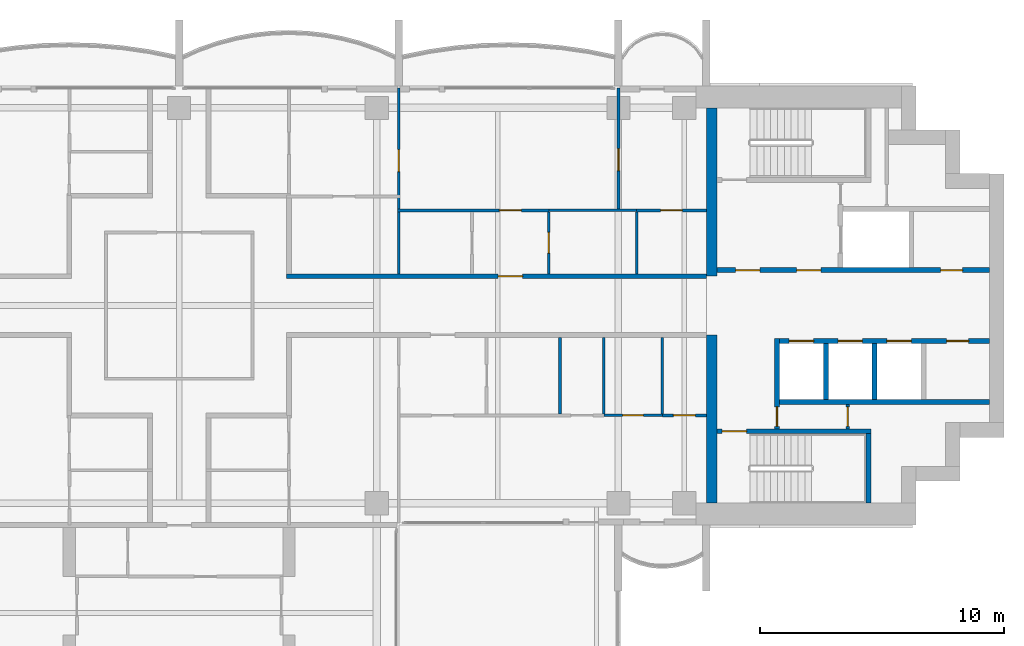
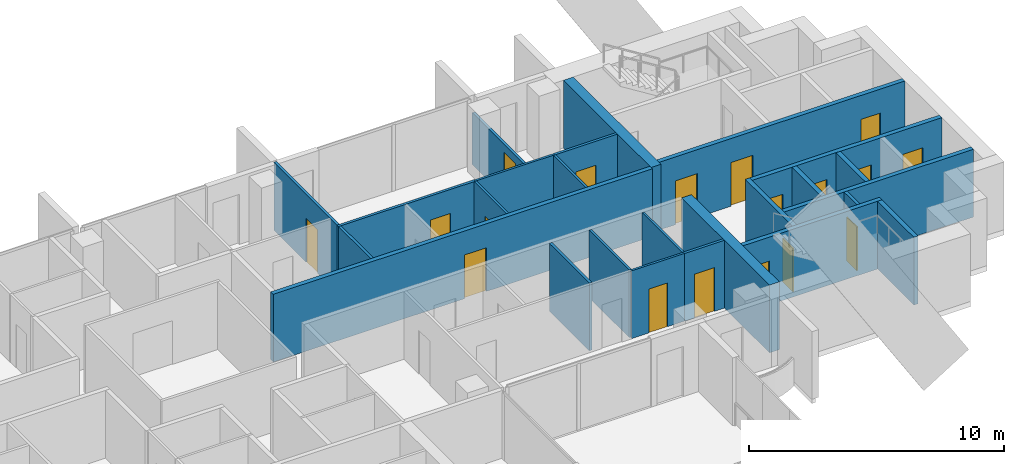
# One storey, part 12 of 18: 24 walls, 18 doors, 18 openings.
"""IFC4 building model written with IfcOpenShell, lengths in metres."""

from ifc_helpers import new_model, si_unit, direction, frame, frame_2d, origin, place, context, subcontext, project, spatial, rectangle, extrude, material, layer, layer_set, type_object, element, fill, save


model = new_model("IFC4")

# Units and contexts
model_context = context("Model", 3, precision=1e-05, world=origin(), true_north=direction((0.0, 1.0)))
body_context = subcontext(model_context, "Body", "Model", "MODEL_VIEW")
ifc_project = project(units=[si_unit("LENGTHUNIT", "METRE"), si_unit("AREAUNIT", "SQUARE_METRE"), si_unit("VOLUMEUNIT", "CUBIC_METRE"), si_unit("PLANEANGLEUNIT", "RADIAN"), si_unit("MASSUNIT", "GRAM", prefix="KILO")], contexts=[model_context])

# Site, building, storey
site_placement = place(None, origin())
site = spatial("IfcSite", under=ifc_project, at=site_placement, CompositionType="ELEMENT")
building_placement = place(site_placement, origin())
building = spatial("IfcBuilding", under=site, at=building_placement, Name="Perihelion Cross Residences", CompositionType="ELEMENT")
storey_placement = place(building_placement, frame((0.0, 0.0, 177.10009765625)))
storey = spatial("IfcBuildingStorey", under=building, at=storey_placement, Name="L43", CompositionType="ELEMENT", Elevation=177.10009765625)

# Wall, opening, door
ifc_material_1 = material(Name="Plasterboard partition")
ifc_layer_1 = layer(ifc_material_1, 0.199951171875)
ifc_layer_set_1 = layer_set([ifc_layer_1], Name="Apartment separation wall 200")
wall_type_1 = type_object("IfcWallType", Name="Apartment separation wall 200", PredefinedType="PARTITIONING", material=ifc_layer_set_1)
wall_1_placement = place(storey_placement, frame((4.39990234375, 1.199951171875, 0.0), z_axis=(0.0, 0.0, 1.0), x_axis=(1.0, 0.0, 0.0)))
wall_1 = element("IfcWall", 1, at=wall_1_placement, inside=storey, type_object=wall_type_1, Name="Partition L43 W005", PredefinedType="PARTITIONING", context=body_context, shape_type="SweptSolid", body=[
    extrude(rectangle(XDim=17.2001953125, YDim=0.199951171875, at=frame_2d((8.60009765625, 0.0))), origin(), (0.0, 0.0, 1.0), 3.25),
])
opening_1_placement = place(wall_1_placement, frame((8.675048828125, 0.0, 0.0)))
opening_1 = element("IfcOpeningElement", 2, at=opening_1_placement, cuts=wall_1, Name="Opening L43.A40", PredefinedType="OPENING", context=body_context, shape_type="SweptSolid", body=[
    extrude(rectangle(XDim=1.0, YDim=2.10009765625, at=frame_2d((0.5, 1.050048828125))), frame((0.0, 0.10986328125, 0.0), z_axis=(0.0, -1.0, 0.0), x_axis=(1.0, 0.0, 0.0)), (0.0, 0.0, 1.0), 0.219970703125),
])
ifc_material_2 = material(Name="Timber door leaf", Category="wood")
door_type_1 = type_object("IfcDoorType", Name="Flat entrance door 1000 x 2100", OperationType="SINGLE_SWING_LEFT", PredefinedType="DOOR", material=ifc_material_2)
door_1_placement = place(opening_1_placement, origin())
door_1 = element("IfcDoor", 3, at=door_1_placement, inside=storey, type_object=door_type_1, Name="Door L43.A40", OperationType="SINGLE_SWING_LEFT", OverallHeight=2.10009765625, OverallWidth=1.0, PredefinedType="DOOR", context=body_context, shape_type="SweptSolid", body=[
    extrude(rectangle(XDim=1.0, YDim=2.10009765625, at=frame_2d((0.5, 1.050048828125))), frame((0.0, 0.02490234375, 0.0), z_axis=(0.0, -1.0, 0.0), x_axis=(1.0, 0.0, 0.0)), (0.0, 0.0, 1.0), 0.050048828125),
])
fill(opening_1, door_1)

# Walls
ifc_material_3 = material(Name="Concrete C60/75", Category="concrete")
ifc_layer_2 = layer(ifc_material_3, 0.449951171875)
ifc_layer_set_2 = layer_set([ifc_layer_2], Name="Core wall, inner 450")
wall_type_2 = type_object("IfcWallType", Name="Core wall, inner 450", PredefinedType="SHEAR", material=ifc_layer_set_2)
for number, where, z_axis, x_axis, name in (
    (4, (21.824951171875, -8.10009765625, 0.0), (0.0, 0.0, 1.0), (0.0, 1.0, 0.0), "East core core wall, inner"),
    (5, (21.824951171875, 1.199951171875, 0.0), (0.0, 0.0, 1.0), (0.0, 1.0, 0.0), "East core core wall, inner"),
):
    element("IfcWall", number, at=place(storey_placement, frame(where, z_axis=z_axis, x_axis=x_axis)), inside=storey, type_object=wall_type_2, Name=name, PredefinedType="SHEAR", context=body_context, shape_type="SweptSolid", body=[
        extrude(rectangle(XDim=6.900146484375, YDim=0.449951171875, at=frame_2d((3.4501953125, 0.0))), origin(), (0.0, 0.0, 1.0), 3.25),
    ])

# Wall, opening, door
ifc_material_4 = material(Name="Concrete C50/60", Category="concrete")
ifc_layer_3 = layer(ifc_material_4, 0.199951171875)
ifc_layer_set_3 = layer_set([ifc_layer_3], Name="Lobby wall 200")
wall_type_3 = type_object("IfcWallType", Name="Lobby wall 200", PredefinedType="SOLIDWALL", material=ifc_layer_set_3)
wall_2_placement = place(storey_placement, frame((24.5, -5.050048828125, 0.0), z_axis=(0.0, 0.0, 1.0), x_axis=(0.0, 1.0, 0.0)))
wall_2 = element("IfcWall", 6, at=wall_2_placement, inside=storey, type_object=wall_type_3, Name="East core lobby wall", PredefinedType="SOLIDWALL", context=body_context, shape_type="SweptSolid", body=[
    extrude(rectangle(XDim=3.699951171875, YDim=0.199951171875, at=frame_2d((1.85009765625, 0.0))), origin(), (0.0, 0.0, 1.0), 3.25),
])
opening_2_placement = place(wall_2_placement, frame((0.10009765625, 0.0, 0.0)))
opening_2 = element("IfcOpeningElement", 7, at=opening_2_placement, cuts=wall_2, Name="Opening L43.C08", PredefinedType="OPENING", context=body_context, shape_type="SweptSolid", body=[
    extrude(rectangle(XDim=0.800048828125, YDim=2.10009765625, at=frame_2d((0.39990234375, 1.050048828125))), frame((0.0, 0.10986328125, 0.0), z_axis=(0.0, -1.0, 0.0), x_axis=(1.0, 0.0, 0.0)), (0.0, 0.0, 1.0), 0.219970703125),
])
ifc_material_5 = material(Name="Steel, powder coated", Category="steel")
door_type_2 = type_object("IfcDoorType", Name="Riser door 800", OperationType="SINGLE_SWING_LEFT", PredefinedType="DOOR", material=ifc_material_5)
door_2_placement = place(opening_2_placement, origin())
door_2 = element("IfcDoor", 8, at=door_2_placement, inside=storey, type_object=door_type_2, Name="East core riser door", OperationType="SINGLE_SWING_LEFT", OverallHeight=2.10009765625, OverallWidth=0.800048828125, PredefinedType="DOOR", context=body_context, shape_type="SweptSolid", body=[
    extrude(rectangle(XDim=0.800048828125, YDim=2.10009765625, at=frame_2d((0.39990234375, 1.050048828125))), frame((0.0, 0.02490234375, 0.0), z_axis=(0.0, -1.0, 0.0), x_axis=(1.0, 0.0, 0.0)), (0.0, 0.0, 1.0), 0.050048828125),
])
fill(opening_2, door_2)

ifc_material_6 = material(Name="Plasterboard partition")
ifc_layer_4 = layer(ifc_material_6, 0.1201171875)
ifc_layer_set_4 = layer_set([ifc_layer_4], Name="Partition wall 120")
wall_type_4 = type_object("IfcWallType", Name="Partition wall 120", PredefinedType="PARTITIONING", material=ifc_layer_set_4)
wall_3_placement = place(storey_placement, frame((8.93994140625, 3.89990234375, 0.0), z_axis=(0.0, 0.0, 1.0), x_axis=(1.0, 0.0, 0.0)))
wall_3 = element("IfcWall", 9, at=wall_3_placement, inside=storey, type_object=wall_type_4, Name="Partition L43 W023", PredefinedType="PARTITIONING", context=body_context, shape_type="SweptSolid", body=[
    extrude(rectangle(XDim=6.2099609375, YDim=0.1201171875, at=frame_2d((3.10498046875, 0.0))), origin(), (0.0, 0.0, 1.0), 3.25),
])
opening_3_placement = place(wall_3_placement, frame((4.18505859375, 0.0, 0.0)))
opening_3 = element("IfcOpeningElement", 10, at=opening_3_placement, cuts=wall_3, Name="Opening L43.A08", PredefinedType="OPENING", context=body_context, shape_type="SweptSolid", body=[
    extrude(rectangle(XDim=0.89990234375, YDim=2.10009765625, at=frame_2d((0.449951171875, 1.050048828125))), frame((0.0, 0.070068359375, 0.0), z_axis=(0.0, -1.0, 0.0), x_axis=(1.0, 0.0, 0.0)), (0.0, 0.0, 1.0), 0.14013671875),
])
ifc_material_7 = material(Name="Timber door leaf", Category="wood")
door_type_3 = type_object("IfcDoorType", Name="Interior room door 900 x 2100", OperationType="SINGLE_SWING_LEFT", PredefinedType="DOOR", material=ifc_material_7)
door_3_placement = place(opening_3_placement, origin())
door_3 = element("IfcDoor", 11, at=door_3_placement, inside=storey, type_object=door_type_3, Name="Door L43.A08", OperationType="SINGLE_SWING_LEFT", OverallHeight=2.10009765625, OverallWidth=0.89990234375, PredefinedType="DOOR", context=body_context, shape_type="SweptSolid", body=[
    extrude(rectangle(XDim=0.89990234375, YDim=2.10009765625, at=frame_2d((0.449951171875, 1.050048828125))), frame((0.0, 0.02490234375, 0.0), z_axis=(0.0, -1.0, 0.0), x_axis=(1.0, 0.0, 0.0)), (0.0, 0.0, 1.0), 0.050048828125),
])
fill(opening_3, door_3)

wall_4_placement = place(storey_placement, frame((9.0, 1.300048828125, 0.0), z_axis=(0.0, 0.0, 1.0), x_axis=(0.0, 1.0, 0.0)))
wall_4 = element("IfcWall", 12, at=wall_4_placement, inside=storey, type_object=wall_type_4, Name="Partition L43 W024", PredefinedType="PARTITIONING", context=body_context, shape_type="SweptSolid", body=[
    extrude(rectangle(XDim=7.619873046875, YDim=0.1201171875, at=frame_2d((3.81005859375, 0.0))), origin(), (0.0, 0.0, 1.0), 3.25),
])
opening_4_placement = place(wall_4_placement, frame((4.18798828125, 0.0, 0.0)))
opening_4 = element("IfcOpeningElement", 13, at=opening_4_placement, cuts=wall_4, Name="Opening L43.A06", PredefinedType="OPENING", context=body_context, shape_type="SweptSolid", body=[
    extrude(rectangle(XDim=0.89990234375, YDim=2.10009765625, at=frame_2d((0.449951171875, 1.050048828125))), frame((0.0, 0.070068359375, 0.0), z_axis=(0.0, -1.0, 0.0), x_axis=(1.0, 0.0, 0.0)), (0.0, 0.0, 1.0), 0.14013671875),
])
door_4_placement = place(opening_4_placement, origin())
door_4 = element("IfcDoor", 14, at=door_4_placement, inside=storey, type_object=door_type_3, Name="Door L43.A06", OperationType="SINGLE_SWING_RIGHT", OverallHeight=2.10009765625, OverallWidth=0.89990234375, PredefinedType="DOOR", context=body_context, shape_type="SweptSolid", body=[
    extrude(rectangle(XDim=0.89990234375, YDim=2.10009765625, at=frame_2d((0.449951171875, 1.050048828125))), frame((0.0, 0.02490234375, 0.0), z_axis=(0.0, -1.0, 0.0), x_axis=(1.0, 0.0, 0.0)), (0.0, 0.0, 1.0), 0.050048828125),
])
fill(opening_4, door_4)

wall_5_placement = place(storey_placement, frame((18.75, 3.89990234375, 0.0), z_axis=(0.0, 0.0, 1.0), x_axis=(1.0, 0.0, 0.0)))
wall_5 = element("IfcWall", 15, at=wall_5_placement, inside=storey, type_object=wall_type_4, Name="Partition L43 W028", PredefinedType="PARTITIONING", context=body_context, shape_type="SweptSolid", body=[
    extrude(rectangle(XDim=2.85009765625, YDim=0.1201171875, at=frame_2d((1.425048828125, 0.0))), origin(), (0.0, 0.0, 1.0), 3.25),
])
opening_5_placement = place(wall_5_placement, frame((0.97509765625, 0.0, 0.0)))
opening_5 = element("IfcOpeningElement", 16, at=opening_5_placement, cuts=wall_5, Name="Opening L43.A09", PredefinedType="OPENING", context=body_context, shape_type="SweptSolid", body=[
    extrude(rectangle(XDim=0.89990234375, YDim=2.10009765625, at=frame_2d((0.449951171875, 1.050048828125))), frame((0.0, 0.070068359375, 0.0), z_axis=(0.0, -1.0, 0.0), x_axis=(1.0, 0.0, 0.0)), (0.0, 0.0, 1.0), 0.14013671875),
])
door_5_placement = place(opening_5_placement, origin())
door_5 = element("IfcDoor", 17, at=door_5_placement, inside=storey, type_object=door_type_3, Name="Door L43.A09", OperationType="SINGLE_SWING_RIGHT", OverallHeight=2.10009765625, OverallWidth=0.89990234375, PredefinedType="DOOR", context=body_context, shape_type="SweptSolid", body=[
    extrude(rectangle(XDim=0.89990234375, YDim=2.10009765625, at=frame_2d((0.449951171875, 1.050048828125))), frame((0.0, 0.02490234375, 0.0), z_axis=(0.0, -1.0, 0.0), x_axis=(1.0, 0.0, 0.0)), (0.0, 0.0, 1.0), 0.050048828125),
])
fill(opening_5, door_5)

wall_6_placement = place(storey_placement, frame((18.0, 8.919921875, 0.0), z_axis=(0.0, 0.0, 1.0), x_axis=(0.0, -1.0, 0.0)))
wall_6 = element("IfcWall", 18, at=wall_6_placement, inside=storey, type_object=wall_type_4, Name="Partition L43 W029", PredefinedType="PARTITIONING", context=body_context, shape_type="SweptSolid", body=[
    extrude(rectangle(XDim=4.969970703125, YDim=0.1201171875, at=frame_2d((2.48486328125, 0.0))), origin(), (0.0, 0.0, 1.0), 2.47998046875),
])
opening_6_placement = place(wall_6_placement, frame((2.4951171875, 0.0, 0.0)))
opening_6 = element("IfcOpeningElement", 19, at=opening_6_placement, cuts=wall_6, Name="Opening L43.A02", PredefinedType="OPENING", context=body_context, shape_type="SweptSolid", body=[
    extrude(rectangle(XDim=0.89990234375, YDim=2.10009765625, at=frame_2d((0.449951171875, 1.050048828125))), frame((0.0, 0.070068359375, 0.0), z_axis=(0.0, -1.0, 0.0), x_axis=(1.0, 0.0, 0.0)), (0.0, 0.0, 1.0), 0.14013671875),
])
door_6_placement = place(opening_6_placement, origin())
door_6 = element("IfcDoor", 20, at=door_6_placement, inside=storey, type_object=door_type_3, Name="Door L43.A02", OperationType="SINGLE_SWING_LEFT", OverallHeight=2.10009765625, OverallWidth=0.89990234375, PredefinedType="DOOR", context=body_context, shape_type="SweptSolid", body=[
    extrude(rectangle(XDim=0.89990234375, YDim=2.10009765625, at=frame_2d((0.449951171875, 1.050048828125))), frame((0.0, 0.02490234375, 0.0), z_axis=(0.0, -1.0, 0.0), x_axis=(1.0, 0.0, 0.0)), (0.0, 0.0, 1.0), 0.050048828125),
])
fill(opening_6, door_6)

# Wall
wall_7_placement = place(storey_placement, frame((15.60009765625, -1.300048828125, 0.0), z_axis=(0.0, 0.0, 1.0), x_axis=(0.0, -1.0, 0.0)))
element("IfcWall", 21, at=wall_7_placement, inside=storey, type_object=wall_type_4, Name="Partition L43 W035", PredefinedType="PARTITIONING", context=body_context, shape_type="SweptSolid", body=[
    extrude(rectangle(XDim=3.139892578125, YDim=0.1201171875, at=frame_2d((1.56982421875, 0.0))), origin(), (0.0, 0.0, 1.0), 3.25),
])

# Wall, opening, door
wall_8_placement = place(storey_placement, frame((21.60009765625, -4.5, 0.0), z_axis=(0.0, 0.0, 1.0), x_axis=(-1.0, 0.0, 0.0)))
wall_8 = element("IfcWall", 22, at=wall_8_placement, inside=storey, type_object=wall_type_4, Name="Partition L43 W039", PredefinedType="PARTITIONING", context=body_context, shape_type="SweptSolid", body=[
    extrude(rectangle(XDim=1.800048828125, YDim=0.1201171875, at=frame_2d((0.89990234375, 0.0))), origin(), (0.0, 0.0, 1.0), 3.25),
])
opening_7_placement = place(wall_8_placement, frame((0.449951171875, 0.0, 0.0)))
opening_7 = element("IfcOpeningElement", 23, at=opening_7_placement, cuts=wall_8, Name="Opening L43.A11", PredefinedType="OPENING", context=body_context, shape_type="SweptSolid", body=[
    extrude(rectangle(XDim=0.89990234375, YDim=2.10009765625, at=frame_2d((0.449951171875, 1.050048828125))), frame((0.0, 0.070068359375, 0.0), z_axis=(0.0, -1.0, 0.0), x_axis=(1.0, 0.0, 0.0)), (0.0, 0.0, 1.0), 0.14013671875),
])
door_7_placement = place(opening_7_placement, origin())
door_7 = element("IfcDoor", 24, at=door_7_placement, inside=storey, type_object=door_type_3, Name="Door L43.A11", OperationType="SINGLE_SWING_LEFT", OverallHeight=2.10009765625, OverallWidth=0.89990234375, PredefinedType="DOOR", context=body_context, shape_type="SweptSolid", body=[
    extrude(rectangle(XDim=0.89990234375, YDim=2.10009765625, at=frame_2d((0.449951171875, 1.050048828125))), frame((0.0, 0.02490234375, 0.0), z_axis=(0.0, -1.0, 0.0), x_axis=(1.0, 0.0, 0.0)), (0.0, 0.0, 1.0), 0.050048828125),
])
fill(opening_7, door_7)

ifc_material_8 = material(Name="Fire-rated board on steel stud", Category="steel")
ifc_layer_5 = layer(ifc_material_8, 0.14990234375)
ifc_layer_set_5 = layer_set([ifc_layer_5], Name="Riser wall 150")
wall_type_5 = type_object("IfcWallType", Name="Riser wall 150", PredefinedType="PARTITIONING", material=ifc_layer_set_5)
wall_9_placement = place(storey_placement, frame((27.39990234375, -5.050048828125, 0.0), z_axis=(0.0, 0.0, 1.0), x_axis=(0.0, 1.0, 0.0)))
wall_9 = element("IfcWall", 25, at=wall_9_placement, inside=storey, type_object=wall_type_5, Name="East core riser wall", PredefinedType="PARTITIONING", context=body_context, shape_type="SweptSolid", body=[
    extrude(rectangle(XDim=1.0, YDim=0.14990234375, at=frame_2d((0.5, 0.0))), origin(), (0.0, 0.0, 1.0), 3.25),
])
opening_8_placement = place(wall_9_placement, frame((0.10009765625, 0.0, 0.0)))
opening_8 = element("IfcOpeningElement", 26, at=opening_8_placement, cuts=wall_9, Name="Opening L43.C11", PredefinedType="OPENING", context=body_context, shape_type="SweptSolid", body=[
    extrude(rectangle(XDim=0.800048828125, YDim=2.10009765625, at=frame_2d((0.39990234375, 1.050048828125))), frame((0.0, 0.0849609375, 0.0), z_axis=(0.0, -1.0, 0.0), x_axis=(1.0, 0.0, 0.0)), (0.0, 0.0, 1.0), 0.169921875),
])
door_8_placement = place(opening_8_placement, origin())
door_8 = element("IfcDoor", 27, at=door_8_placement, inside=storey, type_object=door_type_2, Name="East core riser door", OperationType="SINGLE_SWING_LEFT", OverallHeight=2.10009765625, OverallWidth=0.800048828125, PredefinedType="DOOR", context=body_context, shape_type="SweptSolid", body=[
    extrude(rectangle(XDim=0.800048828125, YDim=2.10009765625, at=frame_2d((0.39990234375, 1.050048828125))), frame((0.0, 0.02490234375, 0.0), z_axis=(0.0, -1.0, 0.0), x_axis=(1.0, 0.0, 0.0)), (0.0, 0.0, 1.0), 0.050048828125),
])
fill(opening_8, door_8)

# Wall, openings, doors
ifc_material_9 = material(Name="Concrete C50/60", Category="concrete")
ifc_layer_6 = layer(ifc_material_9, 0.199951171875)
ifc_layer_set_6 = layer_set([ifc_layer_6], Name="Shaft wall 200")
wall_type_6 = type_object("IfcWallType", Name="Shaft wall 200", PredefinedType="SOLIDWALL", material=ifc_layer_set_6)
wall_10_placement = place(storey_placement, frame((22.050048828125, 1.449951171875, 0.0), z_axis=(0.0, 0.0, 1.0), x_axis=(1.0, 0.0, 0.0)))
wall_10 = element("IfcWall", 28, at=wall_10_placement, inside=storey, type_object=wall_type_6, Name="East core shaft wall", PredefinedType="SOLIDWALL", context=body_context, shape_type="SweptSolid", body=[
    extrude(rectangle(XDim=11.14990234375, YDim=0.199951171875, at=frame_2d((5.574951171875, 0.0))), origin(), (0.0, 0.0, 1.0), 3.25),
])
opening_9_placement = place(wall_10_placement, frame((0.75, 0.0, 0.0)))
opening_9 = element("IfcOpeningElement", 29, at=opening_9_placement, cuts=wall_10, Name="Opening L43.C07", PredefinedType="OPENING", context=body_context, shape_type="SweptSolid", body=[
    extrude(rectangle(XDim=1.0, YDim=2.10009765625, at=frame_2d((0.5, 1.050048828125))), frame((0.0, 0.10986328125, 0.0), z_axis=(0.0, -1.0, 0.0), x_axis=(1.0, 0.0, 0.0)), (0.0, 0.0, 1.0), 0.219970703125),
])
opening_10_placement = place(wall_10_placement, frame((3.25, 0.0, 0.0)))
opening_10 = element("IfcOpeningElement", 30, at=opening_10_placement, cuts=wall_10, Name="Opening L43.C09", PredefinedType="OPENING", context=body_context, shape_type="SweptSolid", body=[
    extrude(rectangle(XDim=1.0, YDim=2.10009765625, at=frame_2d((0.5, 1.050048828125))), frame((0.0, 0.10986328125, 0.0), z_axis=(0.0, -1.0, 0.0), x_axis=(1.0, 0.0, 0.0)), (0.0, 0.0, 1.0), 0.219970703125),
])
opening_11_placement = place(wall_10_placement, frame((9.14990234375, 0.0, 0.0)))
opening_11 = element("IfcOpeningElement", 31, at=opening_11_placement, cuts=wall_10, Name="Opening L43.C13", PredefinedType="OPENING", context=body_context, shape_type="SweptSolid", body=[
    extrude(rectangle(XDim=0.89990234375, YDim=2.10009765625, at=frame_2d((0.449951171875, 1.050048828125))), frame((0.0, 0.10986328125, 0.0), z_axis=(0.0, -1.0, 0.0), x_axis=(1.0, 0.0, 0.0)), (0.0, 0.0, 1.0), 0.219970703125),
])
ifc_material_10 = material(Name="Steel, powder coated", Category="steel")
door_type_4 = type_object("IfcDoorType", Name="Lobby door 1000", OperationType="SINGLE_SWING_LEFT", PredefinedType="DOOR", material=ifc_material_10)
door_9_placement = place(opening_9_placement, origin())
door_9 = element("IfcDoor", 32, at=door_9_placement, inside=storey, type_object=door_type_4, Name="East core firefighting lobby door", OperationType="SINGLE_SWING_LEFT", OverallHeight=2.10009765625, OverallWidth=1.0, PredefinedType="DOOR", context=body_context, shape_type="SweptSolid", body=[
    extrude(rectangle(XDim=1.0, YDim=2.10009765625, at=frame_2d((0.5, 1.050048828125))), frame((0.0, 0.02490234375, 0.0), z_axis=(0.0, -1.0, 0.0), x_axis=(1.0, 0.0, 0.0)), (0.0, 0.0, 1.0), 0.050048828125),
])
fill(opening_9, door_9)
door_10_placement = place(opening_10_placement, origin())
door_10 = element("IfcDoor", 33, at=door_10_placement, inside=storey, type_object=door_type_4, Name="East core firefighting lobby door", OperationType="SINGLE_SWING_LEFT", OverallHeight=2.10009765625, OverallWidth=1.0, PredefinedType="DOOR", context=body_context, shape_type="SweptSolid", body=[
    extrude(rectangle(XDim=1.0, YDim=2.10009765625, at=frame_2d((0.5, 1.050048828125))), frame((0.0, 0.02490234375, 0.0), z_axis=(0.0, -1.0, 0.0), x_axis=(1.0, 0.0, 0.0)), (0.0, 0.0, 1.0), 0.050048828125),
])
fill(opening_10, door_10)
ifc_material_11 = material(Name="Steel, powder coated", Category="steel")
door_type_5 = type_object("IfcDoorType", Name="Service room door 900", OperationType="SINGLE_SWING_LEFT", PredefinedType="DOOR", material=ifc_material_11)
door_11_placement = place(opening_11_placement, origin())
door_11 = element("IfcDoor", 34, at=door_11_placement, inside=storey, type_object=door_type_5, Name="East core service room door", OperationType="SINGLE_SWING_LEFT", OverallHeight=2.10009765625, OverallWidth=0.89990234375, PredefinedType="DOOR", context=body_context, shape_type="SweptSolid", body=[
    extrude(rectangle(XDim=0.89990234375, YDim=2.10009765625, at=frame_2d((0.449951171875, 1.050048828125))), frame((0.0, 0.02490234375, 0.0), z_axis=(0.0, -1.0, 0.0), x_axis=(1.0, 0.0, 0.0)), (0.0, 0.0, 1.0), 0.050048828125),
])
fill(opening_11, door_11)

wall_11_placement = place(storey_placement, frame((24.60009765625, -1.449951171875, 0.0), z_axis=(0.0, 0.0, 1.0), x_axis=(1.0, 0.0, 0.0)))
wall_11 = element("IfcWall", 35, at=wall_11_placement, inside=storey, type_object=wall_type_6, Name="East core shaft wall", PredefinedType="SOLIDWALL", context=body_context, shape_type="SweptSolid", body=[
    extrude(rectangle(XDim=8.599853515625, YDim=0.199951171875, at=frame_2d((4.2998046875, 0.0))), origin(), (0.0, 0.0, 1.0), 3.25),
])
opening_12_placement = place(wall_11_placement, frame((0.39990234375, 0.0, 0.0)))
opening_12 = element("IfcOpeningElement", 36, at=opening_12_placement, cuts=wall_11, Name="Opening L43.C01", PredefinedType="OPENING", context=body_context, shape_type="SweptSolid", body=[
    extrude(rectangle(XDim=1.0, YDim=2.10009765625, at=frame_2d((0.5, 1.050048828125))), frame((0.0, 0.10986328125, 0.0), z_axis=(0.0, -1.0, 0.0), x_axis=(1.0, 0.0, 0.0)), (0.0, 0.0, 1.0), 0.219970703125),
])
opening_13_placement = place(wall_11_placement, frame((2.39990234375, 0.0, 0.0)))
opening_13 = element("IfcOpeningElement", 37, at=opening_13_placement, cuts=wall_11, Name="Opening L43.C03", PredefinedType="OPENING", context=body_context, shape_type="SweptSolid", body=[
    extrude(rectangle(XDim=1.0, YDim=2.10009765625, at=frame_2d((0.5, 1.050048828125))), frame((0.0, 0.10986328125, 0.0), z_axis=(0.0, -1.0, 0.0), x_axis=(1.0, 0.0, 0.0)), (0.0, 0.0, 1.0), 0.219970703125),
])
opening_14_placement = place(wall_11_placement, frame((4.39990234375, 0.0, 0.0)))
opening_14 = element("IfcOpeningElement", 38, at=opening_14_placement, cuts=wall_11, Name="Opening L43.C04", PredefinedType="OPENING", context=body_context, shape_type="SweptSolid", body=[
    extrude(rectangle(XDim=1.0, YDim=2.10009765625, at=frame_2d((0.5, 1.050048828125))), frame((0.0, 0.10986328125, 0.0), z_axis=(0.0, -1.0, 0.0), x_axis=(1.0, 0.0, 0.0)), (0.0, 0.0, 1.0), 0.219970703125),
])
opening_15_placement = place(wall_11_placement, frame((6.85009765625, 0.0, 0.0)))
opening_15 = element("IfcOpeningElement", 39, at=opening_15_placement, cuts=wall_11, Name="Opening L43.C14", PredefinedType="OPENING", context=body_context, shape_type="SweptSolid", body=[
    extrude(rectangle(XDim=0.89990234375, YDim=2.10009765625, at=frame_2d((0.449951171875, 1.050048828125))), frame((0.0, 0.10986328125, 0.0), z_axis=(0.0, -1.0, 0.0), x_axis=(1.0, 0.0, 0.0)), (0.0, 0.0, 1.0), 0.219970703125),
])
ifc_material_12 = material(Name="Stainless steel", Category="steel")
door_type_6 = type_object("IfcDoorType", Name="Landing door 1000", OperationType="DOUBLE_DOOR_SLIDING", PredefinedType="DOOR", material=ifc_material_12)
door_12_placement = place(opening_12_placement, origin())
door_12 = element("IfcDoor", 40, at=door_12_placement, inside=storey, type_object=door_type_6, Name="Landing door, East core high-rise lift 1", OperationType="DOUBLE_DOOR_SLIDING", OverallHeight=2.10009765625, OverallWidth=1.0, PredefinedType="DOOR", context=body_context, shape_type="SweptSolid", body=[
    extrude(rectangle(XDim=1.0, YDim=2.10009765625, at=frame_2d((0.5, 1.050048828125))), frame((0.0, 0.02490234375, 0.0), z_axis=(0.0, -1.0, 0.0), x_axis=(1.0, 0.0, 0.0)), (0.0, 0.0, 1.0), 0.050048828125),
])
fill(opening_12, door_12)
door_13_placement = place(opening_13_placement, origin())
door_13 = element("IfcDoor", 41, at=door_13_placement, inside=storey, type_object=door_type_6, Name="Landing door, East core high-rise lift 2", OperationType="DOUBLE_DOOR_SLIDING", OverallHeight=2.10009765625, OverallWidth=1.0, PredefinedType="DOOR", context=body_context, shape_type="SweptSolid", body=[
    extrude(rectangle(XDim=1.0, YDim=2.10009765625, at=frame_2d((0.5, 1.050048828125))), frame((0.0, 0.02490234375, 0.0), z_axis=(0.0, -1.0, 0.0), x_axis=(1.0, 0.0, 0.0)), (0.0, 0.0, 1.0), 0.050048828125),
])
fill(opening_13, door_13)
door_14_placement = place(opening_14_placement, origin())
door_14 = element("IfcDoor", 42, at=door_14_placement, inside=storey, type_object=door_type_6, Name="Landing door, East core high-rise lift 3", OperationType="DOUBLE_DOOR_SLIDING", OverallHeight=2.10009765625, OverallWidth=1.0, PredefinedType="DOOR", context=body_context, shape_type="SweptSolid", body=[
    extrude(rectangle(XDim=1.0, YDim=2.10009765625, at=frame_2d((0.5, 1.050048828125))), frame((0.0, 0.02490234375, 0.0), z_axis=(0.0, -1.0, 0.0), x_axis=(1.0, 0.0, 0.0)), (0.0, 0.0, 1.0), 0.050048828125),
])
fill(opening_14, door_14)
door_15_placement = place(opening_15_placement, origin())
door_15 = element("IfcDoor", 43, at=door_15_placement, inside=storey, type_object=door_type_5, Name="East core service room door", OperationType="SINGLE_SWING_LEFT", OverallHeight=2.10009765625, OverallWidth=0.89990234375, PredefinedType="DOOR", context=body_context, shape_type="SweptSolid", body=[
    extrude(rectangle(XDim=0.89990234375, YDim=2.10009765625, at=frame_2d((0.449951171875, 1.050048828125))), frame((0.0, 0.02490234375, 0.0), z_axis=(0.0, -1.0, 0.0), x_axis=(1.0, 0.0, 0.0)), (0.0, 0.0, 1.0), 0.050048828125),
])
fill(opening_15, door_15)

# Walls
wall_12_placement = place(storey_placement, frame((24.60009765625, -3.949951171875, 0.0), z_axis=(0.0, 0.0, 1.0), x_axis=(1.0, 0.0, 0.0)))
element("IfcWall", 44, at=wall_12_placement, inside=storey, type_object=wall_type_6, Name="East core shaft wall", PredefinedType="SOLIDWALL", context=body_context, shape_type="SweptSolid", body=[
    extrude(rectangle(XDim=8.599853515625, YDim=0.199951171875, at=frame_2d((4.2998046875, 0.0))), origin(), (0.0, 0.0, 1.0), 3.25),
])
for number, where, z_axis, x_axis, name in (
    (45, (26.5, -3.85009765625, 0.0), (0.0, 0.0, 1.0), (0.0, 1.0, 0.0), "East core shaft wall"),
    (46, (28.5, -3.85009765625, 0.0), (0.0, 0.0, 1.0), (0.0, 1.0, 0.0), "East core shaft wall"),
):
    element("IfcWall", number, at=place(storey_placement, frame(where, z_axis=z_axis, x_axis=x_axis)), inside=storey, type_object=wall_type_6, Name=name, PredefinedType="SOLIDWALL", context=body_context, shape_type="SweptSolid", body=[
        extrude(rectangle(XDim=2.300048828125, YDim=0.199951171875, at=frame_2d((1.14990234375, 0.0))), origin(), (0.0, 0.0, 1.0), 3.25),
    ])

# Wall, opening, door
ifc_material_13 = material(Name="Concrete C50/60", Category="concrete")
ifc_layer_7 = layer(ifc_material_13, 0.199951171875)
ifc_layer_set_7 = layer_set([ifc_layer_7], Name="Stair wall 200")
wall_type_7 = type_object("IfcWallType", Name="Stair wall 200", PredefinedType="SOLIDWALL", material=ifc_layer_set_7)
wall_13_placement = place(storey_placement, frame((22.050048828125, -5.14990234375, 0.0), z_axis=(0.0, 0.0, 1.0), x_axis=(1.0, 0.0, 0.0)))
wall_13 = element("IfcWall", 47, at=wall_13_placement, inside=storey, type_object=wall_type_7, Name="East core stair wall", PredefinedType="SOLIDWALL", context=body_context, shape_type="SweptSolid", body=[
    extrude(rectangle(XDim=6.300048828125, YDim=0.199951171875, at=frame_2d((3.14990234375, 0.0))), origin(), (0.0, 0.0, 1.0), 3.25),
])
opening_16_placement = place(wall_13_placement, frame((0.199951171875, 0.0, 0.0)))
opening_16 = element("IfcOpeningElement", 48, at=opening_16_placement, cuts=wall_13, Name="Opening L43.C05", PredefinedType="OPENING", context=body_context, shape_type="SweptSolid", body=[
    extrude(rectangle(XDim=1.0, YDim=2.10009765625, at=frame_2d((0.5, 1.050048828125))), frame((0.0, 0.10986328125, 0.0), z_axis=(0.0, -1.0, 0.0), x_axis=(1.0, 0.0, 0.0)), (0.0, 0.0, 1.0), 0.219970703125),
])
ifc_material_14 = material(Name="Steel, powder coated", Category="steel")
door_type_7 = type_object("IfcDoorType", Name="Stair door 1000", OperationType="SINGLE_SWING_LEFT", PredefinedType="DOOR", material=ifc_material_14)
door_16_placement = place(opening_16_placement, origin())
door_16 = element("IfcDoor", 49, at=door_16_placement, inside=storey, type_object=door_type_7, Name="East core stair door", OperationType="SINGLE_SWING_LEFT", OverallHeight=2.10009765625, OverallWidth=1.0, PredefinedType="DOOR", context=body_context, shape_type="SweptSolid", body=[
    extrude(rectangle(XDim=1.0, YDim=2.10009765625, at=frame_2d((0.5, 1.050048828125))), frame((0.0, 0.02490234375, 0.0), z_axis=(0.0, -1.0, 0.0), x_axis=(1.0, 0.0, 0.0)), (0.0, 0.0, 1.0), 0.050048828125),
])
fill(opening_16, door_16)

# Wall
wall_14_placement = place(storey_placement, frame((28.25, -8.10009765625, 0.0), z_axis=(0.0, 0.0, 1.0), x_axis=(0.0, 1.0, 0.0)))
element("IfcWall", 50, at=wall_14_placement, inside=storey, type_object=wall_type_7, Name="East core stair wall", PredefinedType="SOLIDWALL", context=body_context, shape_type="SweptSolid", body=[
    extrude(rectangle(XDim=2.85009765625, YDim=0.199951171875, at=frame_2d((1.425048828125, 0.0))), origin(), (0.0, 0.0, 1.0), 3.25),
])

# Wall, opening, door
ifc_material_15 = material(Name="Plasterboard partition")
ifc_layer_8 = layer(ifc_material_15, 0.10009765625)
ifc_layer_set_8 = layer_set([ifc_layer_8], Name="Wet room wall 100")
wall_type_8 = type_object("IfcWallType", Name="Wet room wall 100", PredefinedType="PARTITIONING", material=ifc_layer_set_8)
wall_15_placement = place(storey_placement, frame((15.14990234375, 3.840087890625, 0.0), z_axis=(0.0, 0.0, 1.0), x_axis=(0.0, -1.0, 0.0)))
wall_15 = element("IfcWall", 51, at=wall_15_placement, inside=storey, type_object=wall_type_8, Name="Partition L43 W025", PredefinedType="PARTITIONING", context=body_context, shape_type="SweptSolid", body=[
    extrude(rectangle(XDim=2.5400390625, YDim=0.10009765625, at=frame_2d((1.27001953125, 0.0))), origin(), (0.0, 0.0, 1.0), 3.25),
])
opening_17_placement = place(wall_15_placement, frame((0.844970703125, 0.0, 0.0)))
opening_17 = element("IfcOpeningElement", 52, at=opening_17_placement, cuts=wall_15, Name="Opening L43.A07", PredefinedType="OPENING", context=body_context, shape_type="SweptSolid", body=[
    extrude(rectangle(XDim=0.85009765625, YDim=2.10009765625, at=frame_2d((0.425048828125, 1.050048828125))), frame((0.0, 0.06005859375, 0.0), z_axis=(0.0, -1.0, 0.0), x_axis=(1.0, 0.0, 0.0)), (0.0, 0.0, 1.0), 0.1201171875),
])
ifc_material_16 = material(Name="Timber door leaf", Category="wood")
door_type_8 = type_object("IfcDoorType", Name="Interior bathroom door 850 x 2100", OperationType="SINGLE_SWING_LEFT", PredefinedType="DOOR", material=ifc_material_16)
door_17_placement = place(opening_17_placement, origin())
door_17 = element("IfcDoor", 53, at=door_17_placement, inside=storey, type_object=door_type_8, Name="Door L43.A07", OperationType="SINGLE_SWING_RIGHT", OverallHeight=2.10009765625, OverallWidth=0.85009765625, PredefinedType="DOOR", context=body_context, shape_type="SweptSolid", body=[
    extrude(rectangle(XDim=0.85009765625, YDim=2.10009765625, at=frame_2d((0.425048828125, 1.050048828125))), frame((0.0, 0.02490234375, 0.0), z_axis=(0.0, -1.0, 0.0), x_axis=(1.0, 0.0, 0.0)), (0.0, 0.0, 1.0), 0.050048828125),
])
fill(opening_17, door_17)

# Walls
wall_16_placement = place(storey_placement, frame((18.75, 3.840087890625, 0.0), z_axis=(0.0, 0.0, 1.0), x_axis=(0.0, -1.0, 0.0)))
element("IfcWall", 54, at=wall_16_placement, inside=storey, type_object=wall_type_8, Name="Partition L43 W026", PredefinedType="PARTITIONING", context=body_context, shape_type="SweptSolid", body=[
    extrude(rectangle(XDim=2.5400390625, YDim=0.10009765625, at=frame_2d((1.27001953125, 0.0))), origin(), (0.0, 0.0, 1.0), 3.25),
])
wall_17_placement = place(storey_placement, frame((15.14990234375, 3.89990234375, 0.0), z_axis=(0.0, 0.0, 1.0), x_axis=(1.0, 0.0, 0.0)))
element("IfcWall", 55, at=wall_17_placement, inside=storey, type_object=wall_type_8, Name="Partition L43 W027", PredefinedType="PARTITIONING", context=body_context, shape_type="SweptSolid", body=[
    extrude(rectangle(XDim=3.60009765625, YDim=0.10009765625, at=frame_2d((1.800048828125, 0.0))), origin(), (0.0, 0.0, 1.0), 3.25),
])
for number, where, z_axis, x_axis, name in (
    (56, (17.39990234375, -1.300048828125, 0.0), (0.0, 0.0, 1.0), (0.0, -1.0, 0.0), "Partition L43 W036"),
    (57, (19.800048828125, -1.300048828125, 0.0), (0.0, 0.0, 1.0), (0.0, -1.0, 0.0), "Partition L43 W037"),
):
    element("IfcWall", number, at=place(storey_placement, frame(where, z_axis=z_axis, x_axis=x_axis)), inside=storey, type_object=wall_type_8, Name=name, PredefinedType="PARTITIONING", context=body_context, shape_type="SweptSolid", body=[
        extrude(rectangle(XDim=3.139892578125, YDim=0.10009765625, at=frame_2d((1.56982421875, 0.0))), origin(), (0.0, 0.0, 1.0), 3.25),
    ])

# Wall, opening, door
wall_18_placement = place(storey_placement, frame((19.800048828125, -4.5, 0.0), z_axis=(0.0, 0.0, 1.0), x_axis=(-1.0, 0.0, 0.0)))
wall_18 = element("IfcWall", 58, at=wall_18_placement, inside=storey, type_object=wall_type_8, Name="Partition L43 W038", PredefinedType="PARTITIONING", context=body_context, shape_type="SweptSolid", body=[
    extrude(rectangle(XDim=2.400146484375, YDim=0.10009765625, at=frame_2d((1.2001953125, 0.0))), origin(), (0.0, 0.0, 1.0), 3.25),
])
opening_18_placement = place(wall_18_placement, frame((0.77490234375, 0.0, 0.0)))
opening_18 = element("IfcOpeningElement", 59, at=opening_18_placement, cuts=wall_18, Name="Opening L43.A10", PredefinedType="OPENING", context=body_context, shape_type="SweptSolid", body=[
    extrude(rectangle(XDim=0.85009765625, YDim=2.10009765625, at=frame_2d((0.425048828125, 1.050048828125))), frame((0.0, 0.06005859375, 0.0), z_axis=(0.0, -1.0, 0.0), x_axis=(1.0, 0.0, 0.0)), (0.0, 0.0, 1.0), 0.1201171875),
])
door_18_placement = place(opening_18_placement, origin())
door_18 = element("IfcDoor", 60, at=door_18_placement, inside=storey, type_object=door_type_8, Name="Door L43.A10", OperationType="SINGLE_SWING_RIGHT", OverallHeight=2.10009765625, OverallWidth=0.85009765625, PredefinedType="DOOR", context=body_context, shape_type="SweptSolid", body=[
    extrude(rectangle(XDim=0.85009765625, YDim=2.10009765625, at=frame_2d((0.425048828125, 1.050048828125))), frame((0.0, 0.02490234375, 0.0), z_axis=(0.0, -1.0, 0.0), x_axis=(1.0, 0.0, 0.0)), (0.0, 0.0, 1.0), 0.050048828125),
])
fill(opening_18, door_18)

save(model, "model.ifc")
